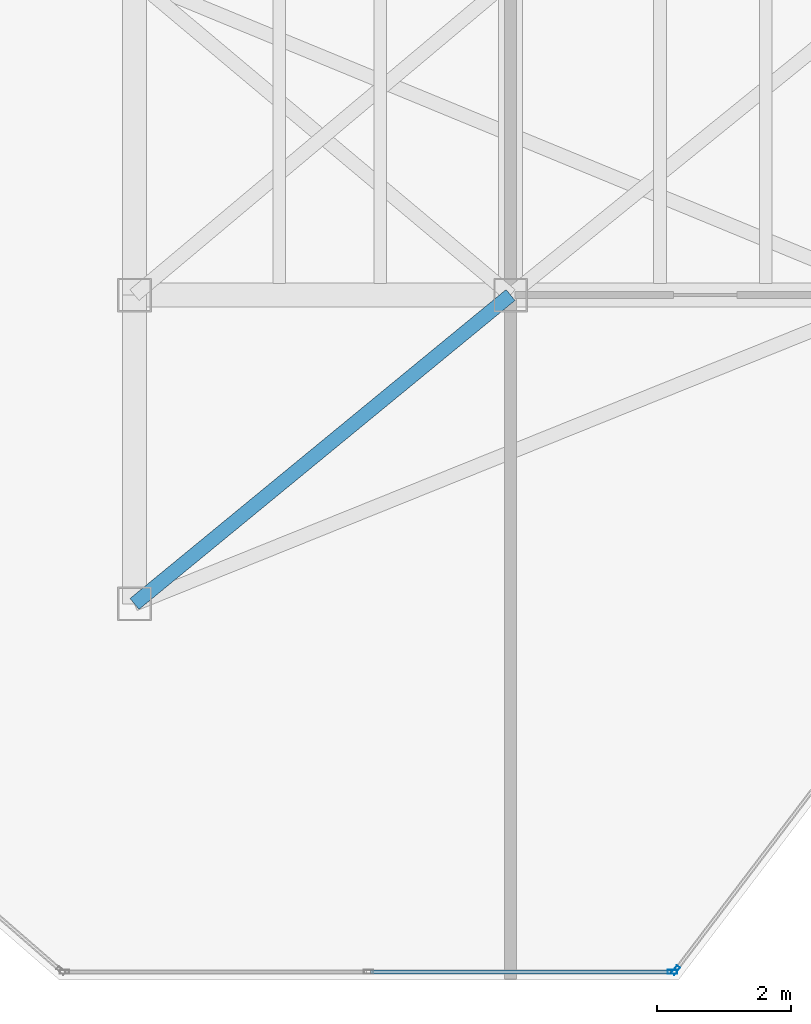
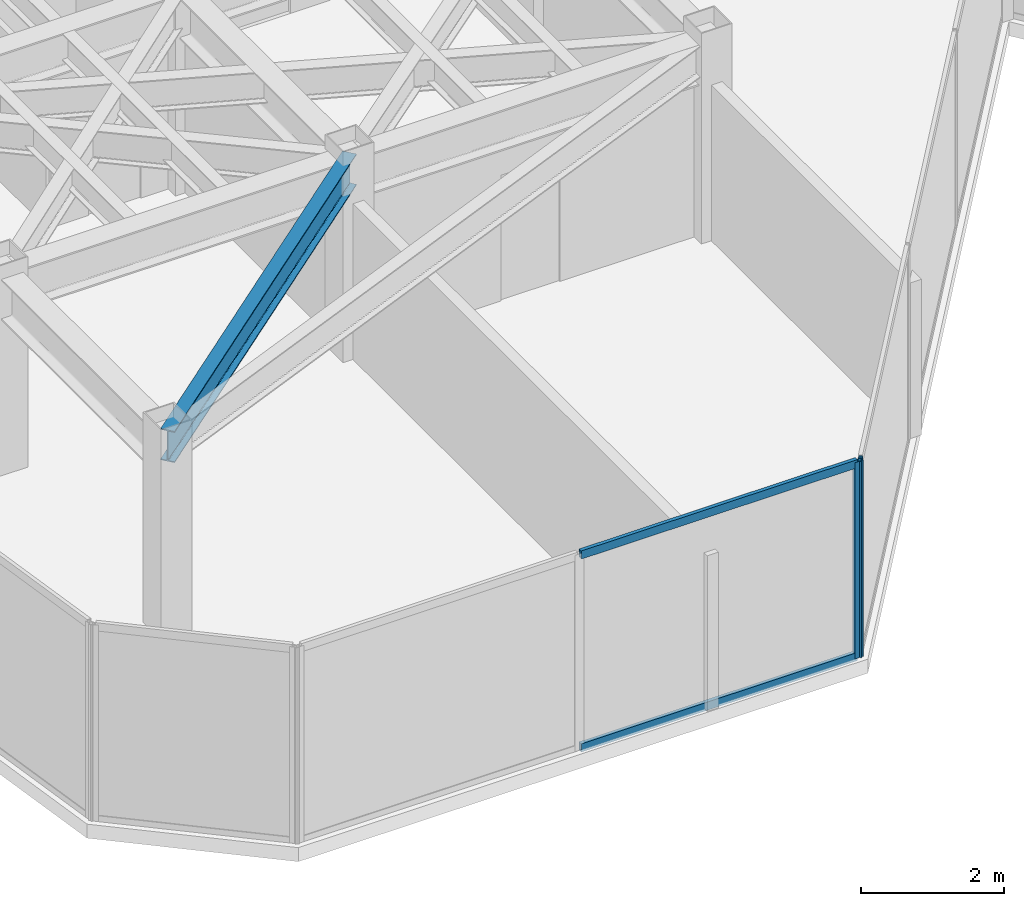
# One storey, part 3 of 20: 4 members, 1 beam, 2 elements without a shape of their own.
"""IFC4 building model written with IfcOpenShell, lengths in metres."""

from ifc_helpers import new_model, si_unit, direction, frame, origin, origin_2d, place, context, subcontext, project, spatial, hollow_rectangle, i_section, extrude, material, layer, layer_set, material_profile, profile_set, type_object, element, aggregate, save


model = new_model("IFC4")

# Units and contexts
model_context = context("Model", 3, precision=1e-05, world=origin(), true_north=direction((0.0, 1.0)))
body_context = subcontext(model_context, "Body", "Model", "MODEL_VIEW")
ifc_project = project(units=[si_unit("LENGTHUNIT", "METRE"), si_unit("AREAUNIT", "SQUARE_METRE"), si_unit("VOLUMEUNIT", "CUBIC_METRE"), si_unit("PLANEANGLEUNIT", "RADIAN"), si_unit("MASSUNIT", "GRAM", prefix="KILO")], contexts=[model_context])

# Site, building, storey
site_placement = place(None, origin())
site = spatial("IfcSite", under=ifc_project, at=site_placement, CompositionType="ELEMENT")
building_placement = place(site_placement, origin())
building = spatial("IfcBuilding", under=site, at=building_placement, Name="Kravanh Interchange Tower", CompositionType="ELEMENT")
storey_placement = place(building_placement, frame((0.0, 0.0, 234.60009765625)))
storey = spatial("IfcBuildingStorey", under=building, at=storey_placement, Name="L56", CompositionType="ELEMENT", Elevation=234.60009765625)

# Curtain wall, member
ifc_material_1 = material(Name="Anodised Bronze Aluminium", Category="aluminium")
ifc_layer = layer(ifc_material_1, 0.179931640625)
ifc_layer_set = layer_set([ifc_layer], Name="Unitised Curtain Wall System CW-HTL Luxury Hotel")
curtain_wall_type = type_object("IfcCurtainWallType", Name="Unitised Curtain Wall System CW-HTL Luxury Hotel", PredefinedType="NOTDEFINED", material=ifc_layer_set)
curtain_wall_1_placement = place(storey_placement, origin())
curtain_wall_1 = element("IfcCurtainWall", 1, at=curtain_wall_1_placement, inside=storey, type_object=curtain_wall_type, Name="L56 Unitised Curtain Wall CW-L56-05", PredefinedType="NOTDEFINED")
ifc_material_2 = material(Name="Anodised Bronze Aluminium", Category="aluminium")
ifc_material_profile_1 = material_profile(ifc_material_2, hollow_rectangle(XDim=0.06005859375, YDim=0.139892578125, WallThickness=0.00390625, at=origin_2d()), Name="ALU60X140X4")
ifc_profile_set_1 = profile_set([ifc_material_profile_1], Name="Anodised Bronze Aluminium")
member_type_1 = type_object("IfcMemberType", Name="Curtain Wall Mullion ALU60X140X4 Bronze", PredefinedType="MULLION", material=ifc_profile_set_1)
member_1_placement = place(storey_placement, frame((35.258544921875, 16.743896484375, 0.0), z_axis=(0.0, 0.0, 1.0), x_axis=(0.79616243806, -0.605082946564, 0.0)))
member_1 = element("IfcMember", 2, at=member_1_placement, type_object=member_type_1, Name="CW-HTL mullion 4", PredefinedType="MULLION", context=body_context, shape_type="SweptSolid", body=[
    extrude(hollow_rectangle(XDim=0.06005859375, YDim=0.139892578125, WallThickness=0.00390625, at=origin_2d()), origin(), (0.0, 0.0, 1.0), 3.35986328125),
])
aggregate(curtain_wall_1, [member_1])

# Curtain wall, members
curtain_wall_2_placement = place(storey_placement, origin())
curtain_wall_2 = element("IfcCurtainWall", 3, at=curtain_wall_2_placement, inside=storey, type_object=curtain_wall_type, Name="L56 Unitised Curtain Wall CW-L56-06", PredefinedType="NOTDEFINED")
member_2_placement = place(storey_placement, frame((35.21044921875, 16.719970703125, 0.0), z_axis=(0.0, 0.0, 1.0), x_axis=(0.0, -1.0, 0.0)))
member_2 = element("IfcMember", 4, at=member_2_placement, type_object=member_type_1, Name="CW-HTL mullion 1", PredefinedType="MULLION", context=body_context, shape_type="SweptSolid", body=[
    extrude(hollow_rectangle(XDim=0.06005859375, YDim=0.139892578125, WallThickness=0.00390625, at=origin_2d()), origin(), (0.0, 0.0, 1.0), 3.35986328125),
])
ifc_material_3 = material(Name="Anodised Bronze Aluminium", Category="aluminium")
ifc_material_profile_2 = material_profile(ifc_material_3, hollow_rectangle(XDim=0.06005859375, YDim=0.139892578125, WallThickness=0.00390625, at=origin_2d()), Name="ALU60X140X4")
ifc_profile_set_2 = profile_set([ifc_material_profile_2], Name="Anodised Bronze Aluminium")
member_type_2 = type_object("IfcMemberType", Name="Curtain Wall Transom ALU60X140X4 Bronze", PredefinedType="USERDEFINED", material=ifc_profile_set_2)
member_3_placement = place(storey_placement, frame((35.180419921875, 16.719970703125, 0.02978515625), z_axis=(-1.0, 0.0, 0.0), x_axis=(0.0, -1.0, 0.0)))
member_3 = element("IfcMember", 5, at=member_3_placement, type_object=member_type_2, Name="CW-HTL transom 1.1", ObjectType="TRANSOM", PredefinedType="USERDEFINED", context=body_context, shape_type="SweptSolid", body=[
    extrude(hollow_rectangle(XDim=0.06005859375, YDim=0.139892578125, WallThickness=0.00390625, at=origin_2d()), origin(), (0.0, 0.0, 1.0), 4.466064453125),
])
member_4_placement = place(storey_placement, frame((35.180419921875, 16.719970703125, 3.329833984375), z_axis=(-1.0, 0.0, 0.0), x_axis=(0.0, -1.0, 0.0)))
member_4 = element("IfcMember", 6, at=member_4_placement, type_object=member_type_2, Name="CW-HTL transom 1.2", ObjectType="TRANSOM", PredefinedType="USERDEFINED", context=body_context, shape_type="SweptSolid", body=[
    extrude(hollow_rectangle(XDim=0.06005859375, YDim=0.139892578125, WallThickness=0.00390625, at=origin_2d()), origin(), (0.0, 0.0, 1.0), 4.466064453125),
])
aggregate(curtain_wall_2, [member_2, member_3, member_4])

# Beam
ifc_material_4 = material(Name="Structural Steel S355", Category="steel")
ifc_material_profile_3 = material_profile(ifc_material_4, i_section(OverallWidth=0.2099609375, OverallDepth=0.537109375, WebThickness=0.010986328125, FlangeThickness=0.017333984375, FilletRadius=0.02001953125, at=origin_2d()), Name="W21X68")
ifc_profile_set_3 = profile_set([ifc_material_profile_3], Name="Structural Steel S355")
beam_type = type_object("IfcBeamType", Name="Floor Spandrel W21X68 Structural Steel S355", PredefinedType="SPANDREL", material=ifc_profile_set_3)
beam_placement = place(storey_placement, frame((27.199951171875, 22.199951171875, 3.09130859375), z_axis=(0.772725074305, 0.634740860147, 0.0), x_axis=(-0.634740860147, 0.772725074305, 0.0)))
element("IfcBeam", 7, at=beam_placement, inside=storey, type_object=beam_type, Name="L56 Perimeter Spandrel 41", PredefinedType="SPANDREL", context=body_context, shape_type="SweptSolid", body=[
    extrude(i_section(OverallWidth=0.2099609375, OverallDepth=0.537109375, WebThickness=0.010986328125, FlangeThickness=0.017333984375, FilletRadius=0.02001953125, at=origin_2d()), origin(), (0.0, 0.0, 1.0), 7.247314453125),
])

save(model, "model.ifc")
